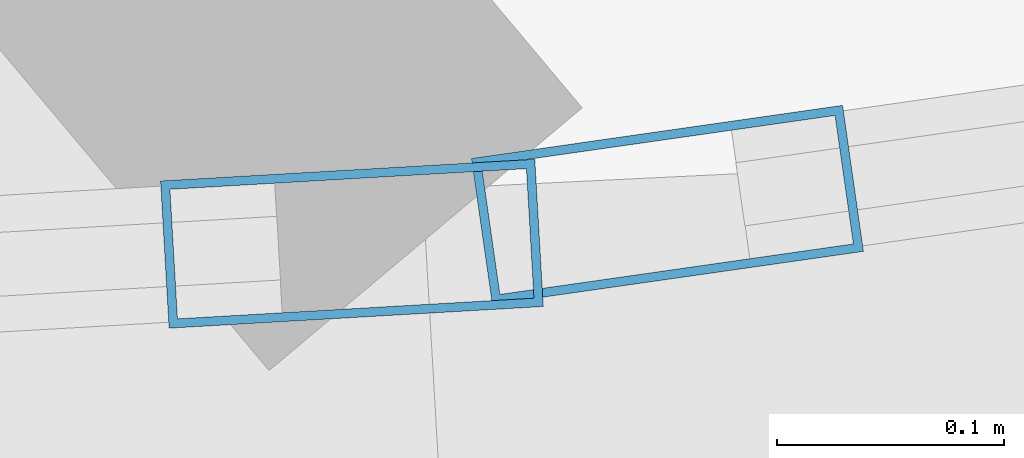
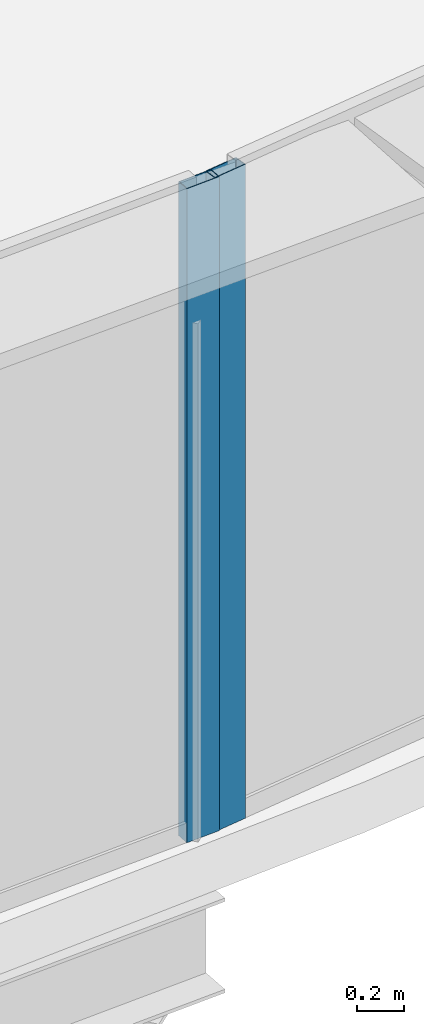
# One storey, part 12 of 42: 2 members, 2 elements without a shape of their own.
"""IFC4 building model written with IfcOpenShell, lengths in metres."""

from ifc_helpers import new_model, si_unit, direction, frame, origin, origin_2d, place, context, subcontext, project, spatial, hollow_rectangle, extrude, source, transform, mapped, material, layer, layer_set, material_profile, profile_set, type_object, element, aggregate, save


model = new_model("IFC4")

# Units and contexts
model_context = context("Model", 3, precision=1e-05, world=origin(), true_north=direction((0.0, 1.0)))
body_context = subcontext(model_context, "Body", "Model", "MODEL_VIEW")
ifc_project = project(units=[si_unit("LENGTHUNIT", "METRE"), si_unit("AREAUNIT", "SQUARE_METRE"), si_unit("VOLUMEUNIT", "CUBIC_METRE"), si_unit("PLANEANGLEUNIT", "RADIAN"), si_unit("MASSUNIT", "GRAM", prefix="KILO"), si_unit("THERMODYNAMICTEMPERATUREUNIT", "KELVIN"), si_unit("POWERUNIT", "WATT")], contexts=[model_context])

# Site, building, storey
site_placement = place(None, origin())
site = spatial("IfcSite", under=ifc_project, at=site_placement, CompositionType="ELEMENT")
building_placement = place(site_placement, origin())
building = spatial("IfcBuilding", under=site, at=building_placement, Name="Yunzhuo Pagoda Commons", CompositionType="ELEMENT")
storey_placement = place(building_placement, frame((0.0, 0.0, 41.2900390625)))
storey = spatial("IfcBuildingStorey", under=building, at=storey_placement, Name="L10", CompositionType="ELEMENT", Elevation=41.2900390625)

# Curtain wall, member
ifc_material = material(Name="Anodized aluminium 6063-T6", Category="aluminium")
ifc_layer = layer(ifc_material, 0.1650390625)
ifc_layer_set = layer_set([ifc_layer], Name="Anodized aluminium 6063-T6")
curtain_wall_type = type_object("IfcCurtainWallType", Name="CW-LOW Low-Zone Ribbon Curtain Wall", PredefinedType="NOTDEFINED", material=ifc_layer_set)
curtain_wall_1_placement = place(storey_placement, origin())
curtain_wall_1 = element("IfcCurtainWall", 1, at=curtain_wall_1_placement, inside=storey, type_object=curtain_wall_type, Name="L10 curtain wall CW-L10-F1B4", PredefinedType="NOTDEFINED")
ifc_material_profile = material_profile(ifc_material, hollow_rectangle(XDim=0.06494140625, YDim=0.1650390625, WallThickness=0.00390625, at=origin_2d()), Name="Anodized aluminium 6063-T6")
ifc_profile_set = profile_set([ifc_material_profile], Name="Anodized aluminium 6063-T6")
member_type = type_object("IfcMemberType", Name="CW-LOW-M Mullion RHS 165x65x4", PredefinedType="MULLION", material=ifc_profile_set)
shared_shape = source(origin(), body_context, "Body", "SweptSolid", [
    extrude(hollow_rectangle(XDim=0.06494140625, YDim=0.1650390625, WallThickness=0.00390625, at=origin_2d()), origin(), (0.0, 0.0, 1.0), 3.369873046875),
])
member_1_placement = place(storey_placement, frame((66.56787109375, 11.531005859375, 0.0), z_axis=(0.0, 0.0, 1.0), x_axis=(-0.057790687505, 0.998328721633, 0.0)))
member_1 = element("IfcMember", 2, at=member_1_placement, type_object=member_type, Name="CW mullion 2", PredefinedType="MULLION", context=body_context, shape_type="MappedRepresentation", body=[
    mapped(shared_shape, transform((0.0, 0.0, 0.0), scale=1.0)),
])
aggregate(curtain_wall_1, [member_1])

curtain_wall_2_placement = place(storey_placement, origin())
curtain_wall_2 = element("IfcCurtainWall", 3, at=curtain_wall_2_placement, inside=storey, type_object=curtain_wall_type, Name="L10 curtain wall CW-L10-F1B5", PredefinedType="NOTDEFINED")
member_2_placement = place(storey_placement, frame((66.706787109375, 11.548095703125, 0.0), z_axis=(0.0, 0.0, 1.0), x_axis=(-0.141492753346, 0.989939291447, 0.0)))
member_2 = element("IfcMember", 4, at=member_2_placement, type_object=member_type, Name="CW mullion 1", PredefinedType="MULLION", context=body_context, shape_type="MappedRepresentation", body=[
    mapped(shared_shape, transform((0.0, 0.0, 0.0), scale=1.0)),
])
aggregate(curtain_wall_2, [member_2])

save(model, "model.ifc")
